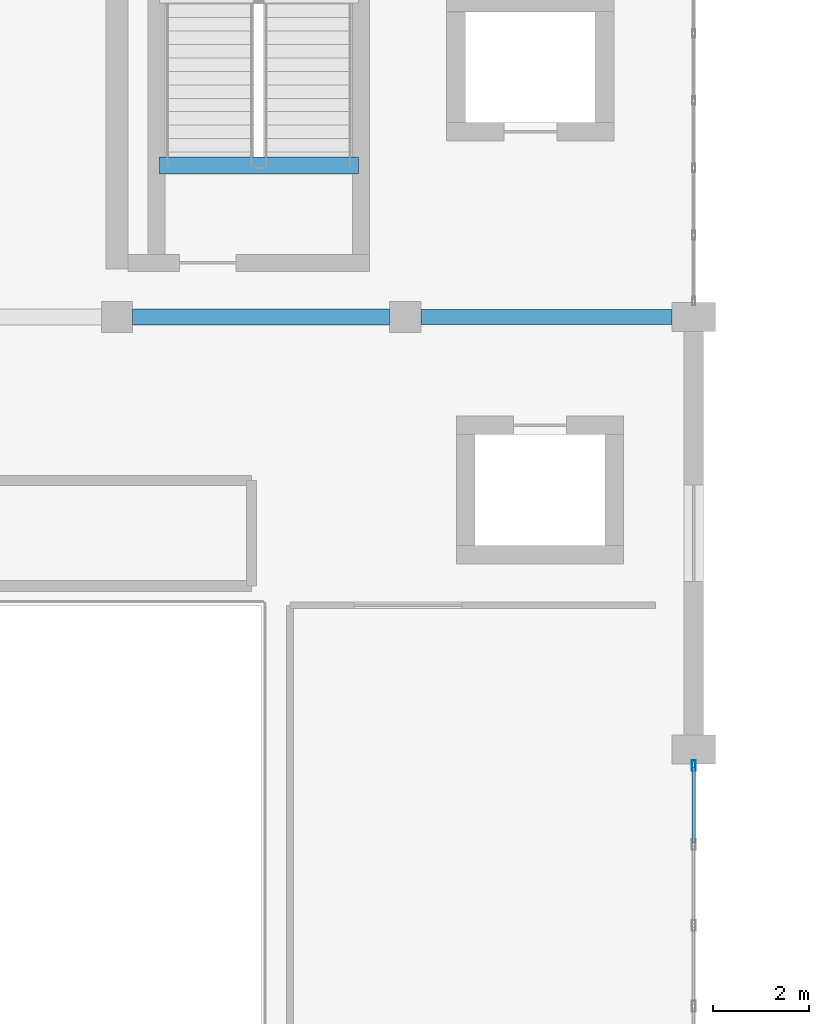
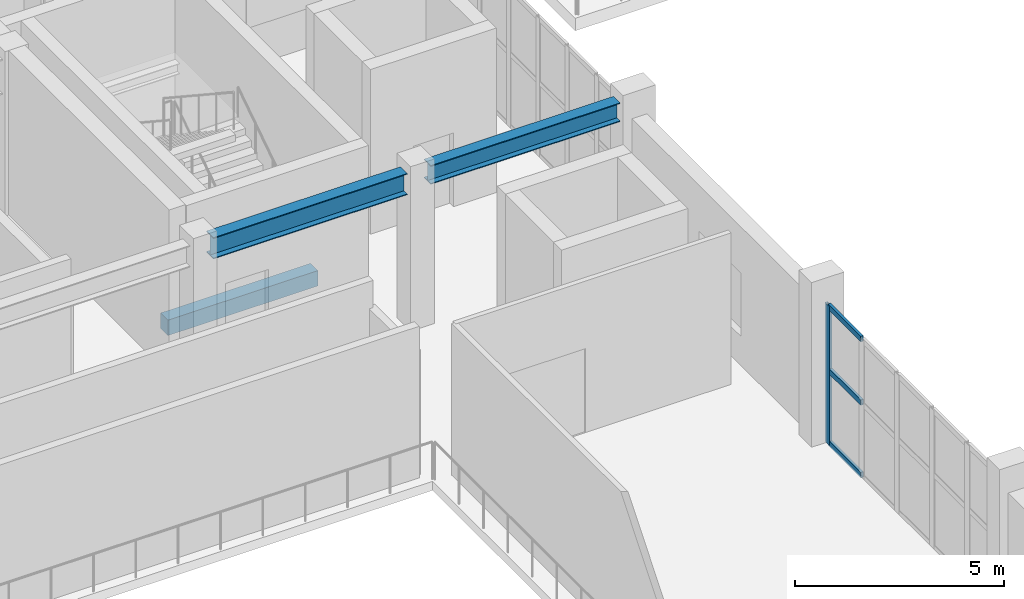
# One storey, part 16 of 62: 4 members, 3 beams, 1 element without a shape of its own.
"""IFC4 building model written with IfcOpenShell, lengths in metres."""

from ifc_helpers import new_model, si_unit, direction, frame, origin, origin_2d, place, context, subcontext, project, spatial, rectangle, hollow_rectangle, i_section, extrude, material, layer, layer_set, material_profile, profile_set, type_object, element, aggregate, save


model = new_model("IFC4")

# Units and contexts
model_context = context("Model", 3, precision=1e-05, world=origin(), true_north=direction((0.0, 1.0)))
body_context = subcontext(model_context, "Body", "Model", "MODEL_VIEW")
ifc_project = project(units=[si_unit("LENGTHUNIT", "METRE"), si_unit("AREAUNIT", "SQUARE_METRE"), si_unit("VOLUMEUNIT", "CUBIC_METRE"), si_unit("PLANEANGLEUNIT", "RADIAN"), si_unit("MASSUNIT", "GRAM", prefix="KILO")], contexts=[model_context])

# Site, building, storey
site_placement = place(None, origin())
site = spatial("IfcSite", under=ifc_project, at=site_placement, CompositionType="ELEMENT")
building_placement = place(site_placement, origin())
building = spatial("IfcBuilding", under=site, at=building_placement, Name="Vaelkrest Opera House", CompositionType="ELEMENT")
storey_placement = place(building_placement, frame((0.0, 0.0, 19.800048828125)))
storey = spatial("IfcBuildingStorey", under=building, at=storey_placement, Name="L04", CompositionType="ELEMENT", Elevation=19.800048828125)

# Beams
ifc_material_1 = material(Name="Steel A992 Gr50", Category="steel")
ifc_material_profile_1 = material_profile(ifc_material_1, i_section(OverallWidth=0.326904296875, OverallDepth=0.6220703125, WebThickness=0.015380859375, FlangeThickness=0.0244140625, at=origin_2d()), Name="W24X131")
ifc_profile_set_1 = profile_set([ifc_material_profile_1], Name="Steel A992 Gr50")
beam_type_1 = type_object("IfcBeamType", Name="B19", PredefinedType="BEAM", material=ifc_profile_set_1)
beam_1_placement = place(storey_placement, frame((18.324951171875, -28.800048828125, 4.19384765625), z_axis=(1.0, 0.0, 0.0), x_axis=(0.0, 1.0, 0.0)))
element("IfcBeam", 1, at=beam_1_placement, inside=storey, type_object=beam_type_1, Name="Beam BM-V1-L04-0547", PredefinedType="BEAM", context=body_context, shape_type="SweptSolid", body=[
    extrude(i_section(OverallWidth=0.326904296875, OverallDepth=0.6220703125, WebThickness=0.015380859375, FlangeThickness=0.0244140625, at=origin_2d()), origin(), (0.0, 0.0, 1.0), 5.35009765625),
])
ifc_material_profile_2 = material_profile(ifc_material_1, i_section(OverallWidth=0.31494140625, OverallDepth=0.551025390625, WebThickness=0.01513671875, FlangeThickness=0.0244140625, at=origin_2d()), Name="W21X122")
ifc_profile_set_2 = profile_set([ifc_material_profile_2], Name="Steel A992 Gr50")
beam_type_2 = type_object("IfcBeamType", Name="B20", PredefinedType="BEAM", material=ifc_profile_set_2)
beam_2_placement = place(storey_placement, frame((24.324951171875, -28.800048828125, 4.2294921875), z_axis=(1.0, 0.0, 0.0), x_axis=(0.0, 1.0, 0.0)))
element("IfcBeam", 2, at=beam_2_placement, inside=storey, type_object=beam_type_2, Name="Beam BM-V1-L04-0548", PredefinedType="BEAM", context=body_context, shape_type="SweptSolid", body=[
    extrude(i_section(OverallWidth=0.31494140625, OverallDepth=0.551025390625, WebThickness=0.01513671875, FlangeThickness=0.0244140625, at=origin_2d()), origin(), (0.0, 0.0, 1.0), 5.22509765625),
])

# Curtain wall, members
ifc_material_2 = material(Name="Dark bronze anodized aluminium", Category="aluminium")
ifc_layer = layer(ifc_material_2, 0.199951171875)
ifc_layer_set = layer_set([ifc_layer], Name="Dark bronze anodized aluminium")
curtain_wall_type = type_object("IfcCurtainWallType", Name="CW03", PredefinedType="NOTDEFINED", material=ifc_layer_set)
curtain_wall_placement = place(storey_placement, origin())
curtain_wall = element("IfcCurtainWall", 3, at=curtain_wall_placement, inside=storey, type_object=curtain_wall_type, Name="Curtain wall CW-L04-067", PredefinedType="NOTDEFINED")
ifc_material_profile_3 = material_profile(ifc_material_2, hollow_rectangle(XDim=0.074951171875, YDim=0.219970703125, WallThickness=0.00439453125, at=origin_2d()), Name="CWM75X220")
ifc_profile_set_3 = profile_set([ifc_material_profile_3], Name="Dark bronze anodized aluminium")
member_type_1 = type_object("IfcMemberType", Name="CWM03", PredefinedType="MULLION", material=ifc_profile_set_3)
member_1_placement = place(storey_placement, frame((30.0, -38.135498046875, 0.0), z_axis=(0.0, 0.0, 1.0), x_axis=(1.0, 0.0, 0.0)))
member_1 = element("IfcMember", 4, at=member_1_placement, type_object=member_type_1, Name="CW03 mullion 1", PredefinedType="MULLION", context=body_context, shape_type="SweptSolid", body=[
    extrude(hollow_rectangle(XDim=0.074951171875, YDim=0.219970703125, WallThickness=0.00439453125, at=origin_2d()), origin(), (0.0, 0.0, 1.0), 4.04296875),
])
ifc_material_profile_4 = material_profile(ifc_material_2, hollow_rectangle(XDim=0.074951171875, YDim=0.159912109375, WallThickness=0.00439453125, at=origin_2d()), Name="CWT75X160")
ifc_profile_set_4 = profile_set([ifc_material_profile_4], Name="Dark bronze anodized aluminium")
member_type_2 = type_object("IfcMemberType", Name="CWT03", PredefinedType="USERDEFINED", material=ifc_profile_set_4)
member_2_placement = place(storey_placement, frame((30.0, -38.173095703125, 0.037353515625), z_axis=(0.0, -1.0, 0.0), x_axis=(1.0, 0.0, 0.0)))
member_2 = element("IfcMember", 5, at=member_2_placement, type_object=member_type_2, Name="CW03 transom 1.1", ObjectType="TRANSOM", PredefinedType="USERDEFINED", context=body_context, shape_type="SweptSolid", body=[
    extrude(hollow_rectangle(XDim=0.074951171875, YDim=0.159912109375, WallThickness=0.00439453125, at=origin_2d()), origin(), (0.0, 0.0, 1.0), 1.568115234375),
])
member_3_placement = place(storey_placement, frame((30.0, -38.173095703125, 2.14990234375), z_axis=(0.0, -1.0, 0.0), x_axis=(1.0, 0.0, 0.0)))
member_3 = element("IfcMember", 6, at=member_3_placement, type_object=member_type_2, Name="CW03 transom 1.2", ObjectType="TRANSOM", PredefinedType="USERDEFINED", context=body_context, shape_type="SweptSolid", body=[
    extrude(hollow_rectangle(XDim=0.074951171875, YDim=0.159912109375, WallThickness=0.00439453125, at=origin_2d()), origin(), (0.0, 0.0, 1.0), 1.568115234375),
])
member_4_placement = place(storey_placement, frame((30.0, -38.173095703125, 4.00537109375), z_axis=(0.0, -1.0, 0.0), x_axis=(1.0, 0.0, 0.0)))
member_4 = element("IfcMember", 7, at=member_4_placement, type_object=member_type_2, Name="CW03 transom 1.3", ObjectType="TRANSOM", PredefinedType="USERDEFINED", context=body_context, shape_type="SweptSolid", body=[
    extrude(hollow_rectangle(XDim=0.074951171875, YDim=0.159912109375, WallThickness=0.00439453125, at=origin_2d()), origin(), (0.0, 0.0, 1.0), 1.568115234375),
])
aggregate(curtain_wall, [member_1, member_2, member_3, member_4])

# Beam
ifc_material_3 = material(Name="Concrete C50/60", Category="concrete")
ifc_material_profile_5 = material_profile(ifc_material_3, rectangle(XDim=0.35009765625, YDim=0.449951171875, at=origin_2d()), Name="RCB350X450")
ifc_profile_set_5 = profile_set([ifc_material_profile_5], Name="Concrete C50/60")
beam_type_3 = type_object("IfcBeamType", Name="LN01", PredefinedType="LINTEL", material=ifc_profile_set_5)
beam_3_placement = place(storey_placement, frame((18.8798828125, -25.64990234375, -0.22509765625), z_axis=(1.0, 0.0, 0.0), x_axis=(0.0, 1.0, 0.0)))
element("IfcBeam", 8, at=beam_3_placement, inside=storey, type_object=beam_type_3, Name="Stairwell trimmer beam ST02 L04", PredefinedType="LINTEL", context=body_context, shape_type="SweptSolid", body=[
    extrude(rectangle(XDim=0.35009765625, YDim=0.449951171875, at=origin_2d()), origin(), (0.0, 0.0, 1.0), 4.14013671875),
])

save(model, "model.ifc")
